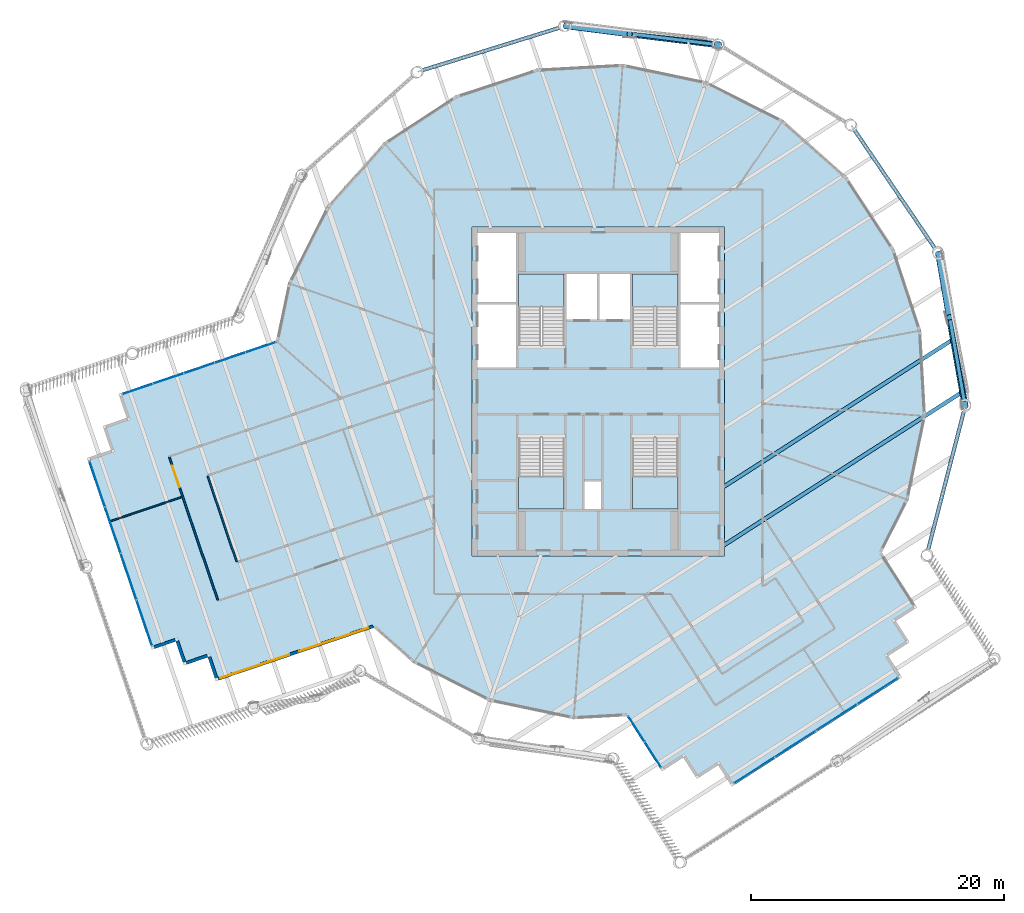
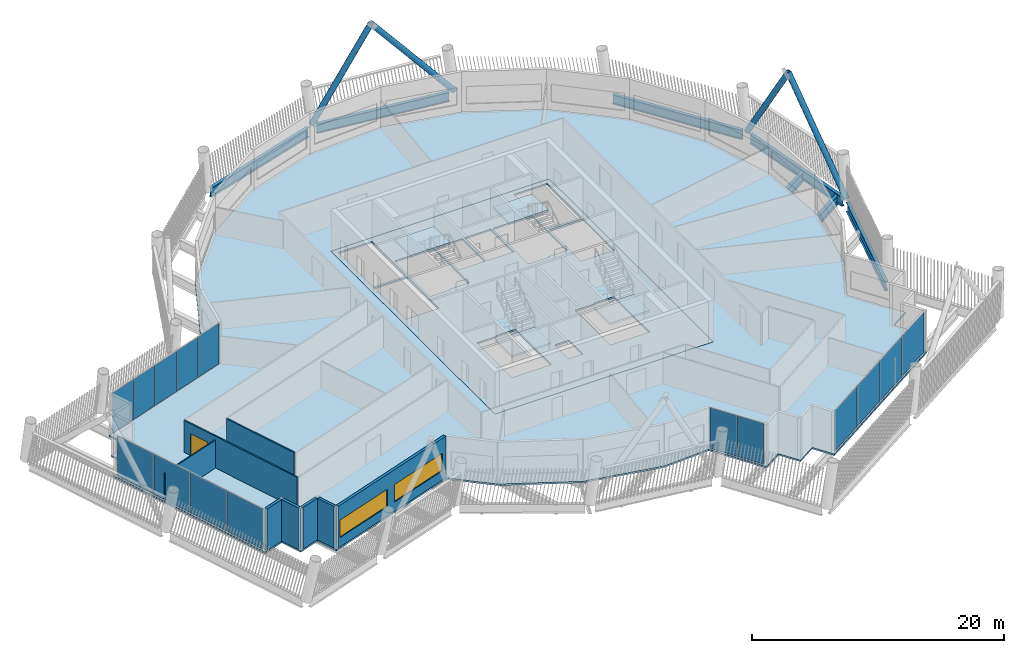
# One storey, part 16 of 35: 15 plates, 8 walls, 7 beams, 6 slabs, 4 members, 2 windows, 1 door, 3 openings, 8 elements without a shape of their own.
"""IFC4 building model written with IfcOpenShell, lengths in metres."""

import ifcopenshell
import ifcopenshell.guid

model = None  # the IFC model being written
_history = None  # IfcOwnerHistory: only IFC2X3 demands one
_inside = {}  # id of a spatial element -> (the spatial element, [elements in it])
_under = {}  # id of a project, library or spatial element -> (it, [spatial elements below it])
_declared = {}  # id of a project -> (the project, [libraries it declares])
_typed = {}  # id of a type object -> (the type object, [elements of that type])
_made_of = {}  # id of a material, layer set ... -> (it, [elements and type objects made of it])


def new_model(schema):
    """Start an empty IFC model of exactly this schema.

    Asked for "IFC4X3", IfcOpenShell would pick the latest addendum, in which some entities
    have other attributes; the version numbers below select the first issue.
    IFC2X3 requires an IfcOwnerHistory on every rooted entity: one is made here for all.
    """
    global model, _history
    if schema == "IFC4X3":
        model = ifcopenshell.file(schema_version=(4, 3, 0, 0))
    else:
        model = ifcopenshell.file(schema=schema)
    _inside.clear()
    _under.clear()
    _declared.clear()
    _typed.clear()
    _made_of.clear()
    _history = None
    if model.schema == "IFC2X3":
        org = make("IfcOrganization", Name="unknown")
        user = make(
            "IfcPersonAndOrganization",
            ThePerson=make("IfcPerson", FamilyName="unknown"),
            TheOrganization=org,
        )
        app = make(
            "IfcApplication",
            ApplicationDeveloper=org,
            Version="unknown",
            ApplicationFullName="unknown",
            ApplicationIdentifier="unknown",
        )
        _history = make(
            "IfcOwnerHistory",
            OwningUser=user,
            OwningApplication=app,
            ChangeAction="ADDED",
            CreationDate=0,
        )
    return model


def make(cls, **values):
    """One entity of the class cls with the attributes given. An attribute that is None is left unset."""
    return model.create_entity(
        cls, **{name: value for name, value in values.items() if value is not None}
    )


def rooted(cls, **values):
    """An entity with a GlobalId (a new one), such as an element, a storey or a relation."""
    return make(cls, GlobalId=ifcopenshell.guid.new(), OwnerHistory=_history, **values)


def si_unit(unit_type, name, prefix=None):
    """IfcSIUnit, for example si_unit("LENGTHUNIT", "METRE", prefix="MILLI")."""
    return make("IfcSIUnit", UnitType=unit_type, Prefix=prefix, Name=name)


def assignment(units):
    """IfcUnitAssignment: the units of a project."""
    return None if units is None else make("IfcUnitAssignment", Units=units)


def point(xyz):
    """IfcCartesianPoint."""
    return None if xyz is None else make("IfcCartesianPoint", Coordinates=xyz)


def direction(xyz):
    """IfcDirection."""
    return None if xyz is None else make("IfcDirection", DirectionRatios=xyz)


def frame(location, z_axis=None, x_axis=None):
    """IfcAxis2Placement3D, a coordinate frame: its origin and axes. An axis left out is left unset."""
    return make(
        "IfcAxis2Placement3D",
        Location=point(location),
        Axis=direction(z_axis),
        RefDirection=direction(x_axis),
    )


def frame_2d(location, x_axis=None):
    """IfcAxis2Placement2D, a coordinate frame in the plane: its origin and x axis."""
    return make(
        "IfcAxis2Placement2D", Location=point(location), RefDirection=direction(x_axis)
    )


def origin():
    """The frame at (0, 0, 0) with its axes left unset."""
    return frame((0.0, 0.0, 0.0))


def origin_2d():
    """The frame at (0, 0) in the plane with its x axis left unset."""
    return frame_2d((0.0, 0.0))


def place(relative_to, where):
    """IfcLocalPlacement: puts the frame where relative to a parent placement (None: the world)."""
    return make(
        "IfcLocalPlacement", PlacementRelTo=relative_to, RelativePlacement=where
    )


def context(
    kind, dimensions, precision=None, world=None, true_north=None, identifier=None
):
    """IfcGeometricRepresentationContext, for example the 3D "Model" context."""
    return make(
        "IfcGeometricRepresentationContext",
        ContextIdentifier=identifier,
        ContextType=kind,
        CoordinateSpaceDimension=dimensions,
        Precision=precision,
        WorldCoordinateSystem=world,
        TrueNorth=true_north,
    )


def subcontext(parent, identifier, kind, view, scale=None):
    """IfcGeometricRepresentationSubContext, for example "Body" below "Model"."""
    return make(
        "IfcGeometricRepresentationSubContext",
        ContextIdentifier=identifier,
        ContextType=kind,
        ParentContext=parent,
        TargetScale=scale,
        TargetView=view,
    )


def project(units=None, contexts=None):
    """IfcProject with its units and contexts."""
    return rooted(
        "IfcProject",
        Name="project",
        RepresentationContexts=contexts,
        UnitsInContext=assignment(units),
    )


def spatial(cls, under=None, at=None, **own):
    """A site, building, storey or space (cls), placed at a placement, below another one or the project."""
    s = rooted(cls, ObjectPlacement=at, **own)
    if under is not None:
        _under.setdefault(under.id(), (under, []))[1].append(s)
    return s


def polyline(points):
    """IfcPolyline through the points."""
    return make("IfcPolyline", Points=[point(p) for p in points])


def profile(cls, at=None, kind="AREA", **sizes):
    """A parametric profile (cls). Its sizes go by their IFC names, for example OverallWidth=200.0."""
    return make(cls, ProfileType=kind, Position=at, **sizes)


def rectangle(**sizes):
    """IfcRectangleProfileDef."""
    return profile("IfcRectangleProfileDef", **sizes)


def hollow_circle(**sizes):
    """IfcCircleHollowProfileDef."""
    return profile("IfcCircleHollowProfileDef", **sizes)


def i_section(**sizes):
    """IfcIShapeProfileDef."""
    return profile("IfcIShapeProfileDef", **sizes)


def outline(outer, holes=None, kind="AREA"):
    """IfcArbitraryClosedProfileDef: a profile drawn as a closed curve; with holes, ...WithVoids."""
    if holes is None:
        return make("IfcArbitraryClosedProfileDef", ProfileType=kind, OuterCurve=outer)
    return make(
        "IfcArbitraryProfileDefWithVoids",
        ProfileType=kind,
        OuterCurve=outer,
        InnerCurves=holes,
    )


def extrude(swept, where, along, depth):
    """IfcExtrudedAreaSolid: the profile swept, set in the frame where, extruded along a direction by depth."""
    return make(
        "IfcExtrudedAreaSolid",
        SweptArea=swept,
        Position=where,
        ExtrudedDirection=direction(along),
        Depth=depth,
    )


def shape(context_of_items, identifier, shape_type, items):
    """IfcShapeRepresentation: the items that make up one representation, for example the "Body"."""
    return make(
        "IfcShapeRepresentation",
        ContextOfItems=context_of_items,
        RepresentationIdentifier=identifier,
        RepresentationType=shape_type,
        Items=items,
    )


def material(Name=None, Category=None):
    """IfcMaterial."""
    return make("IfcMaterial", Name=Name, Category=Category)


def layer(
    of_material, thickness, ventilated=None, Name=None, Category=None, Priority=None
):
    """IfcMaterialLayer: one layer of a wall or slab, of a material (None: an air gap)."""
    return make(
        "IfcMaterialLayer",
        Material=of_material,
        LayerThickness=thickness,
        IsVentilated=ventilated,
        Name=Name,
        Category=Category,
        Priority=Priority,
    )


def layer_set(layers, Name=None):
    """IfcMaterialLayerSet."""
    return make("IfcMaterialLayerSet", MaterialLayers=layers, LayerSetName=Name)


def material_profile(
    of_material, cross_section, Name=None, Category=None, Priority=None
):
    """IfcMaterialProfile: a cross section and its material."""
    return make(
        "IfcMaterialProfile",
        Name=Name,
        Material=of_material,
        Profile=cross_section,
        Priority=Priority,
        Category=Category,
    )


def profile_set(profiles, Name=None, composite=None):
    """IfcMaterialProfileSet."""
    return make(
        "IfcMaterialProfileSet",
        Name=Name,
        MaterialProfiles=profiles,
        CompositeProfile=composite,
    )


def made_of(thing, what):
    """Note that an element or type object is made of a material, layer set ...; save() writes the relation."""
    if what is not None:
        _made_of.setdefault(what.id(), (what, []))[1].append(thing)
    return thing


def type_object(cls, material=None, **own):
    """A type object (cls), such as IfcWallType, which elements share."""
    return made_of(rooted(cls, **own), material)


def element(
    cls,
    number,
    at=None,
    inside=None,
    cuts=None,
    type_object=None,
    material=None,
    context=None,
    identifier="Body",
    shape_type=None,
    held_by="IfcProductDefinitionShape",
    body=None,
    shapes=None,
    **own,
):
    """One element of the class cls, such as IfcWall. Its Tag is "e" and its number.

    at: its placement. inside: the storey or other place that contains it. cuts: it is an
    opening in that element (IfcRelVoidsElement). A single representation is given by context,
    identifier, shape_type and body (its items); several are given by shapes. held_by: the class
    of the entity that holds the representations. save() writes the other relations.
    """
    e = rooted(cls, Tag="e%d" % number, ObjectPlacement=at, **own)
    if body is not None:
        shapes = [shape(context, identifier, shape_type, body)]
    if shapes is not None:
        e.Representation = make(held_by, Representations=shapes)
    if inside is not None:
        _inside.setdefault(inside.id(), (inside, []))[1].append(e)
    if cuts is not None:
        rooted(
            "IfcRelVoidsElement", RelatingBuildingElement=cuts, RelatedOpeningElement=e
        )
    if type_object is not None:
        _typed.setdefault(type_object.id(), (type_object, []))[1].append(e)
    return made_of(e, material)


def fill(opening, filler):
    """IfcRelFillsElement: the door or window that sits in an opening."""
    return rooted(
        "IfcRelFillsElement",
        RelatingOpeningElement=opening,
        RelatedBuildingElement=filler,
    )


def aggregate(whole, parts):
    """IfcRelAggregates: a whole, such as a stair, and the parts it consists of."""
    return rooted("IfcRelAggregates", RelatingObject=whole, RelatedObjects=parts)


def save(model, path):
    """Write the relations noted so far, then the file.

    IfcRelAggregates (storeys below a building ...), IfcRelContainedInSpatialStructure (elements
    in a storey), IfcRelDefinesByType, IfcRelAssociatesMaterial and IfcRelDeclares: one each for
    every whole, place, type object, material and project.
    """
    for whole, parts in _under.values():
        aggregate(whole, parts)
    for where, things in _inside.values():
        rooted(
            "IfcRelContainedInSpatialStructure",
            RelatedElements=things,
            RelatingStructure=where,
        )
    for kind, things in _typed.values():
        rooted("IfcRelDefinesByType", RelatedObjects=things, RelatingType=kind)
    for what, things in _made_of.values():
        rooted("IfcRelAssociatesMaterial", RelatedObjects=things, RelatingMaterial=what)
    for by, libraries in _declared.values():
        rooted("IfcRelDeclares", RelatingContext=by, RelatedDefinitions=libraries)
    model.write(path)


model = new_model("IFC4")

# Units and contexts
model_context = context("Model", 3, precision=1e-05, world=origin(), true_north=direction((0.0, 1.0)))
body_context = subcontext(model_context, "Body", "Model", "MODEL_VIEW")
ifc_project = project(units=[si_unit("LENGTHUNIT", "METRE"), si_unit("AREAUNIT", "SQUARE_METRE"), si_unit("VOLUMEUNIT", "CUBIC_METRE"), si_unit("PLANEANGLEUNIT", "RADIAN"), si_unit("MASSUNIT", "GRAM", prefix="KILO")], contexts=[model_context])

# Site, building, storey
site_placement = place(None, origin())
site = spatial("IfcSite", under=ifc_project, at=site_placement, CompositionType="ELEMENT")
building_placement = place(site_placement, origin())
building = spatial("IfcBuilding", under=site, at=building_placement, Name="Tarsis Ring Headquarters", CompositionType="ELEMENT")
storey_placement = place(building_placement, frame((0.0, 0.0, 360.800048828125)))
storey = spatial("IfcBuildingStorey", under=building, at=storey_placement, Name="L85", CompositionType="ELEMENT", Elevation=360.800048828125)

# Beams
ifc_material_1 = material(Name="Structural steel S355", Category="steel")
ifc_material_profile_1 = material_profile(ifc_material_1, i_section(OverallWidth=0.3046875, OverallDepth=0.91943359375, WebThickness=0.017333984375, FlangeThickness=0.02783203125, at=origin_2d()), Name="W36x170")
ifc_profile_set_1 = profile_set([ifc_material_profile_1], Name="Structural steel S355")
beam_type_1 = type_object("IfcBeamType", Name="FB Floor beam W36x170", PredefinedType="JOIST", material=ifc_profile_set_1)
beam_1_placement = place(storey_placement, frame((9.915771484375, -7.535888671875, -0.619873046875), z_axis=(0.841322376083, 0.540533680266, 0.0), x_axis=(-0.540533680266, 0.841322376083, 0.0)))
element("IfcBeam", 1, at=beam_1_placement, inside=storey, type_object=beam_type_1, Name="Floor beam FB9", PredefinedType="JOIST", context=body_context, shape_type="SweptSolid", body=[
    extrude(i_section(OverallWidth=0.3046875, OverallDepth=0.91943359375, WebThickness=0.017333984375, FlangeThickness=0.02783203125, at=origin_2d()), origin(), (0.0, 0.0, 1.0), 21.549072265625),
])
beam_2_placement = place(storey_placement, frame((9.915771484375, -12.17138671875, -0.619873046875), z_axis=(0.841323211878, 0.540532379378, 0.0), x_axis=(-0.540532379378, 0.841323211878, 0.0)))
element("IfcBeam", 2, at=beam_2_placement, inside=storey, type_object=beam_type_1, Name="Floor beam FB9", PredefinedType="JOIST", context=body_context, shape_type="SweptSolid", body=[
    extrude(i_section(OverallWidth=0.3046875, OverallDepth=0.91943359375, WebThickness=0.017333984375, FlangeThickness=0.02783203125, at=origin_2d()), origin(), (0.0, 0.0, 1.0), 22.410888671875),
])

# Members
ifc_material_profile_2 = material_profile(ifc_material_1, hollow_circle(Radius=0.25390625, WallThickness=0.02001953125, at=origin_2d()), Name="CHS 508x20")
ifc_profile_set_2 = profile_set([ifc_material_profile_2], Name="Structural steel S355")
member_type = type_object("IfcMemberType", Name="XD X brace CHS 508x20", PredefinedType="BRACE", material=ifc_profile_set_2)
member_1_placement = place(storey_placement, frame((29.02490234375, -1.169677734375, 0.0), z_axis=(-0.112752762608, 0.638570934384, 0.761258153509), x_axis=(-0.98476672269, -0.173880711646, 0.0)))
element("IfcMember", 3, at=member_1_placement, inside=storey, type_object=member_type, Name="X brace XD2", PredefinedType="BRACE", context=body_context, shape_type="SweptSolid", body=[
    extrude(hollow_circle(Radius=0.25390625, WallThickness=0.02001953125, at=origin_2d()), origin(), (0.0, 0.0, 1.0), 11.0341796875),
])
member_2_placement = place(storey_placement, frame((26.9267578125, 10.898193359375, 0.0), z_axis=(0.086932858676, -0.511184096654, 0.855063446424), x_axis=(0.985845787737, 0.167654653386, 0.0)))
element("IfcMember", 4, at=member_2_placement, inside=storey, type_object=member_type, Name="X brace XD2", PredefinedType="BRACE", context=body_context, shape_type="SweptSolid", body=[
    extrude(hollow_circle(Radius=0.25390625, WallThickness=0.02001953125, at=origin_2d()), origin(), (0.0, 0.0, 1.0), 9.82373046875),
])
member_3_placement = place(storey_placement, frame((9.59130859375, 27.41943359375, 0.0), z_axis=(-0.643664683993, 0.078569086414, 0.761263865713), x_axis=(-0.121165899867, -0.992632270637, 0.0)))
element("IfcMember", 5, at=member_3_placement, inside=storey, type_object=member_type, Name="X brace XD2", PredefinedType="BRACE", context=body_context, shape_type="SweptSolid", body=[
    extrude(hollow_circle(Radius=0.25390625, WallThickness=0.02001953125, at=origin_2d()), origin(), (0.0, 0.0, 1.0), 11.0341796875),
])
member_4_placement = place(storey_placement, frame((-2.563232421875, 28.935302734375, 0.0), z_axis=(0.514292707648, -0.066057312116, 0.855066922747), x_axis=(0.127396457174, 0.991851875382, 0.0)))
element("IfcMember", 6, at=member_4_placement, inside=storey, type_object=member_type, Name="X brace XD2", PredefinedType="BRACE", context=body_context, shape_type="SweptSolid", body=[
    extrude(hollow_circle(Radius=0.25390625, WallThickness=0.02001953125, at=origin_2d()), origin(), (0.0, 0.0, 1.0), 9.82373046875),
])

# Beams
beam_type_2 = type_object("IfcBeamType", Name="XG Ring girder W36x170", PredefinedType="BEAM", material=ifc_profile_set_1)
beam_3_placement = place(storey_placement, frame((26.0654296875, -12.630859375, -0.459716796875), z_axis=(0.250019541273, 0.968240790807, 0.0), x_axis=(-0.968240790807, 0.250019541273, 0.0)))
element("IfcBeam", 7, at=beam_3_placement, inside=storey, type_object=beam_type_2, Name="Ring girder XG4", PredefinedType="BEAM", context=body_context, shape_type="SweptSolid", body=[
    extrude(i_section(OverallWidth=0.3046875, OverallDepth=0.91943359375, WebThickness=0.017333984375, FlangeThickness=0.02783203125, at=origin_2d()), origin(), (0.0, 0.0, 1.0), 11.42578125),
])
for number, where, z_axis, x_axis, name in (
    (8, (28.95458984375, -0.76416015625, -0.459716796875), (-0.171321336647, 0.985215204719, 0.0), (-0.985215204719, -0.171321336647, 0.0), "Ring girder XG4"),
    (9, (26.6953125, 11.238525390625, -0.459716796875), (-0.562172669378, 0.827019884769, 0.0), (-0.827019884769, -0.562172669378, 0.0), "Ring girder XG4"),
    (10, (9.18310546875, 27.47021484375, -0.459716796875), (-0.992312354477, 0.123758600313, 0.0), (-0.123758600313, -0.992312354477, 0.0), "Ring girder XG4"),
):
    element("IfcBeam", number, at=place(storey_placement, frame(where, z_axis=z_axis, x_axis=x_axis)), inside=storey, type_object=beam_type_2, Name=name, PredefinedType="BEAM", context=body_context, shape_type="SweptSolid", body=[
        extrude(i_section(OverallWidth=0.3046875, OverallDepth=0.91943359375, WebThickness=0.017333984375, FlangeThickness=0.02783203125, at=origin_2d()), origin(), (0.0, 0.0, 1.0), 11.426025390625),
    ])
beam_4_placement = place(storey_placement, frame((-2.956298828125, 28.813232421875, -0.459716796875), z_axis=(-0.955107093582, -0.296260763161, 0.0), x_axis=(0.296260763161, -0.955107093582, 0.0)))
element("IfcBeam", 11, at=beam_4_placement, inside=storey, type_object=beam_type_2, Name="Ring girder XG4", PredefinedType="BEAM", context=body_context, shape_type="SweptSolid", body=[
    extrude(i_section(OverallWidth=0.3046875, OverallDepth=0.91943359375, WebThickness=0.017333984375, FlangeThickness=0.02783203125, at=origin_2d()), origin(), (0.0, 0.0, 1.0), 11.42578125),
])

# Slab
ifc_material_2 = material(Name="Concrete C40/50", Category="concrete")
ifc_layer_1 = layer(ifc_material_2, 0.159912109375)
ifc_layer_set_1 = layer_set([ifc_layer_1], Name="Core floor slab 160 C40/50")
slab_type_1 = type_object("IfcSlabType", Name="Core floor slab 160 C40/50", PredefinedType="FLOOR", material=ifc_layer_set_1)
slab_1_placement = place(storey_placement, frame((0.0, 0.0, -0.16015625)))
element("IfcSlab", 12, at=slab_1_placement, inside=storey, type_object=slab_type_1, Name="L85 core floor slab", PredefinedType="FLOOR", context=body_context, shape_type="SweptSolid", body=[
    extrude(outline(polyline([(-10.0, -13.0), (10.0, -13.0), (10.0, 13.0), (-10.0, 13.0), (-10.0, -13.0)]), holes=[polyline([(-2.5, 5.699951171875), (-0.10009765625, 5.699951171875), (-0.10009765625, 9.300048828125), (-2.5, 9.300048828125), (-2.5, 5.699951171875)]), polyline([(0.10009765625, 5.699951171875), (2.5, 5.699951171875), (2.5, 9.300048828125), (0.10009765625, 9.300048828125), (0.10009765625, 5.699951171875)]), polyline([(-9.550048828125, 1.89990234375), (-6.5, 1.89990234375), (-6.5, 6.89990234375), (-9.550048828125, 6.89990234375), (-9.550048828125, 1.89990234375)]), polyline([(-9.550048828125, 7.10009765625), (-6.5, 7.10009765625), (-6.5, 12.550048828125), (-9.550048828125, 12.550048828125), (-9.550048828125, 7.10009765625)]), polyline([(6.5, 1.89990234375), (9.550048828125, 1.89990234375), (9.550048828125, 6.89990234375), (6.5, 6.89990234375), (6.5, 1.89990234375)]), polyline([(6.5, 7.10009765625), (9.550048828125, 7.10009765625), (9.550048828125, 12.550048828125), (6.5, 12.550048828125), (6.5, 7.10009765625)]), polyline([(-1.10009765625, -9.300048828125), (0.199951171875, -9.300048828125), (0.199951171875, -7.10009765625), (-1.10009765625, -7.10009765625), (-1.10009765625, -9.300048828125)]), polyline([(-2.699951171875, 3.760009765625), (-2.699951171875, 9.300048828125), (-6.300048828125, 9.300048828125), (-6.300048828125, 3.659912109375), (-4.4599609375, 3.659912109375), (-4.4599609375, 3.760009765625), (-2.699951171875, 3.760009765625)]), polyline([(6.300048828125, 3.760009765625), (6.300048828125, 9.300048828125), (2.699951171875, 9.300048828125), (2.699951171875, 3.659912109375), (4.5400390625, 3.659912109375), (4.5400390625, 3.760009765625), (6.300048828125, 3.760009765625)]), polyline([(-6.300048828125, -3.760009765625), (-6.300048828125, -9.300048828125), (-2.699951171875, -9.300048828125), (-2.699951171875, -3.659912109375), (-4.5400390625, -3.659912109375), (-4.5400390625, -3.760009765625), (-6.300048828125, -3.760009765625)]), polyline([(2.699951171875, -3.760009765625), (2.699951171875, -9.300048828125), (6.300048828125, -9.300048828125), (6.300048828125, -3.659912109375), (4.4599609375, -3.659912109375), (4.4599609375, -3.760009765625), (2.699951171875, -3.760009765625)])]), origin(), (0.0, 0.0, 1.0), 0.16015625),
])

# Stair, slab
ifc_material_3 = material(Name="Core stair 1760")
stair_type = type_object("IfcStairType", Name="Core stair 1760", PredefinedType="HALF_TURN_STAIR", material=ifc_material_3)
stair_1_placement = place(storey_placement, origin())
stair_1 = element("IfcStair", 13, at=stair_1_placement, inside=storey, type_object=stair_type, Name="L85 Firefighting stair", PredefinedType="HALF_TURN_STAIR")
ifc_layer_2 = layer(ifc_material_2, 0.199951171875)
ifc_layer_set_2 = layer_set([ifc_layer_2], Name="Core stair landing 200")
slab_type_2 = type_object("IfcSlabType", Name="Core stair landing 200", PredefinedType="LANDING", material=ifc_layer_set_2)
slab_2_placement = place(storey_placement, frame((0.0, 0.0, 1.89990234375)))
slab_2 = element("IfcSlab", 14, at=slab_2_placement, type_object=slab_type_2, Name="Stair ST1 landing 1", PredefinedType="LANDING", context=body_context, shape_type="SweptSolid", body=[
    extrude(outline(polyline([(-2.699951171875, 6.739990234375), (-2.699951171875, 9.300048828125), (-6.300048828125, 9.300048828125), (-6.300048828125, 6.739990234375), (-2.699951171875, 6.739990234375)])), origin(), (0.0, 0.0, 1.0), 0.199951171875),
])
aggregate(stair_1, [slab_2])

stair_2_placement = place(storey_placement, origin())
stair_2 = element("IfcStair", 15, at=stair_2_placement, inside=storey, type_object=stair_type, Name="L85 Exit stair B", PredefinedType="HALF_TURN_STAIR")
slab_3_placement = place(storey_placement, frame((0.0, 0.0, 1.89990234375)))
slab_3 = element("IfcSlab", 16, at=slab_3_placement, type_object=slab_type_2, Name="Stair ST2 landing 1", PredefinedType="LANDING", context=body_context, shape_type="SweptSolid", body=[
    extrude(outline(polyline([(6.300048828125, 6.739990234375), (6.300048828125, 9.300048828125), (2.699951171875, 9.300048828125), (2.699951171875, 6.739990234375), (6.300048828125, 6.739990234375)])), origin(), (0.0, 0.0, 1.0), 0.199951171875),
])
aggregate(stair_2, [slab_3])

stair_3_placement = place(storey_placement, origin())
stair_3 = element("IfcStair", 17, at=stair_3_placement, inside=storey, type_object=stair_type, Name="L85 Exit stair C", PredefinedType="HALF_TURN_STAIR")
slab_4_placement = place(storey_placement, frame((0.0, 0.0, 1.89990234375)))
slab_4 = element("IfcSlab", 18, at=slab_4_placement, type_object=slab_type_2, Name="Stair ST3 landing 1", PredefinedType="LANDING", context=body_context, shape_type="SweptSolid", body=[
    extrude(outline(polyline([(-6.300048828125, -6.739990234375), (-6.300048828125, -9.300048828125), (-2.699951171875, -9.300048828125), (-2.699951171875, -6.739990234375), (-6.300048828125, -6.739990234375)])), origin(), (0.0, 0.0, 1.0), 0.199951171875),
])
aggregate(stair_3, [slab_4])

stair_4_placement = place(storey_placement, origin())
stair_4 = element("IfcStair", 19, at=stair_4_placement, inside=storey, type_object=stair_type, Name="L85 Exit stair D", PredefinedType="HALF_TURN_STAIR")
slab_5_placement = place(storey_placement, frame((0.0, 0.0, 1.89990234375)))
slab_5 = element("IfcSlab", 20, at=slab_5_placement, type_object=slab_type_2, Name="Stair ST4 landing 1", PredefinedType="LANDING", context=body_context, shape_type="SweptSolid", body=[
    extrude(outline(polyline([(2.699951171875, -6.739990234375), (2.699951171875, -9.300048828125), (6.300048828125, -9.300048828125), (6.300048828125, -6.739990234375), (2.699951171875, -6.739990234375)])), origin(), (0.0, 0.0, 1.0), 0.199951171875),
])
aggregate(stair_4, [slab_5])

# Curtain wall, plates
ifc_material_4 = material(Name="Aluminium curtain wall", Category="aluminium")
ifc_layer_3 = layer(ifc_material_4, 0.199951171875)
ifc_layer_set_3 = layer_set([ifc_layer_3], Name="Curtain wall executive tip")
curtain_wall_type_1 = type_object("IfcCurtainWallType", Name="Curtain wall executive tip", PredefinedType="NOTDEFINED", material=ifc_layer_set_3)
curtain_wall_1_placement = place(storey_placement, origin())
curtain_wall_1 = element("IfcCurtainWall", 21, at=curtain_wall_1_placement, inside=storey, type_object=curtain_wall_type_1, Name="Curtain wall L85-11", PredefinedType="NOTDEFINED")
ifc_material_5 = material(Name="Clear double glazing", Category="glass")
ifc_layer_4 = layer(ifc_material_5, 0.028076171875)
ifc_layer_set_4 = layer_set([ifc_layer_4], Name="Curtain wall glass panel executive tip")
plate_type_1 = type_object("IfcPlateType", Name="Curtain wall glass panel executive tip", PredefinedType="CURTAIN_PANEL", material=ifc_layer_set_4)
plate_1_placement = place(storey_placement, frame((12.35400390625, -29.949462890625, 0.070068359375), z_axis=(0.0, 0.0, 1.0), x_axis=(0.841322129159, 0.540534064595, 0.0)))
plate_1 = element("IfcPlate", 22, at=plate_1_placement, type_object=plate_type_1, Name="CW-E panel 1.1", PredefinedType="CURTAIN_PANEL", context=body_context, shape_type="SweptSolid", body=[
    extrude(rectangle(XDim=3.77001953125, YDim=0.028076171875, at=origin_2d()), origin(), (0.0, 0.0, 1.0), 3.89990234375),
])
plate_2_placement = place(storey_placement, frame((15.599365234375, -27.864501953125, 0.070068359375), z_axis=(0.0, 0.0, 1.0), x_axis=(0.841322129159, 0.540534064595, 0.0)))
plate_2 = element("IfcPlate", 23, at=plate_2_placement, type_object=plate_type_1, Name="CW-E panel 2.1", PredefinedType="CURTAIN_PANEL", context=body_context, shape_type="SweptSolid", body=[
    extrude(rectangle(XDim=3.804931640625, YDim=0.028076171875, at=origin_2d()), origin(), (0.0, 0.0, 1.0), 3.89990234375),
])
plate_3_placement = place(storey_placement, frame((18.859619140625, -25.769775390625, 0.070068359375), z_axis=(0.0, 0.0, 1.0), x_axis=(0.841322129159, 0.540534064595, 0.0)))
plate_3 = element("IfcPlate", 24, at=plate_3_placement, type_object=plate_type_1, Name="CW-E panel 3.1", PredefinedType="CURTAIN_PANEL", context=body_context, shape_type="SweptSolid", body=[
    extrude(rectangle(XDim=3.804931640625, YDim=0.028076171875, at=origin_2d()), origin(), (0.0, 0.0, 1.0), 3.89990234375),
])
plate_4_placement = place(storey_placement, frame((22.10498046875, -23.684814453125, 0.070068359375), z_axis=(0.0, 0.0, 1.0), x_axis=(0.841322129159, 0.540534064595, 0.0)))
plate_4 = element("IfcPlate", 25, at=plate_4_placement, type_object=plate_type_1, Name="CW-E panel 4.1", PredefinedType="CURTAIN_PANEL", context=body_context, shape_type="SweptSolid", body=[
    extrude(rectangle(XDim=3.77001953125, YDim=0.028076171875, at=origin_2d()), origin(), (0.0, 0.0, 1.0), 3.89990234375),
])
aggregate(curtain_wall_1, [plate_1, plate_2, plate_3, plate_4])

curtain_wall_2_placement = place(storey_placement, origin())
curtain_wall_2 = element("IfcCurtainWall", 26, at=curtain_wall_2_placement, inside=storey, type_object=curtain_wall_type_1, Name="Curtain wall L85-36", PredefinedType="NOTDEFINED")
plate_5_placement = place(storey_placement, frame((-39.62548828125, -7.30908203125, 0.070068359375), z_axis=(0.0, 0.0, 1.0), x_axis=(0.32094362685, -0.94709829922, 0.0)))
plate_5 = element("IfcPlate", 27, at=plate_5_placement, type_object=plate_type_1, Name="CW-E panel 1.1", PredefinedType="CURTAIN_PANEL", context=body_context, shape_type="SweptSolid", body=[
    extrude(rectangle(XDim=3.77001953125, YDim=0.028076171875, at=origin_2d()), origin(), (0.0, 0.0, 1.0), 3.89990234375),
])
plate_6_placement = place(storey_placement, frame((-38.387451171875, -10.962646484375, 0.070068359375), z_axis=(0.0, 0.0, 1.0), x_axis=(0.32094362685, -0.94709829922, 0.0)))
plate_6 = element("IfcPlate", 28, at=plate_6_placement, type_object=plate_type_1, Name="CW-E panel 2.1", PredefinedType="CURTAIN_PANEL", context=body_context, shape_type="SweptSolid", body=[
    extrude(rectangle(XDim=3.804931640625, YDim=0.028076171875, at=origin_2d()), origin(), (0.0, 0.0, 1.0), 3.89990234375),
])
plate_7_placement = place(storey_placement, frame((-37.143798828125, -14.632568359375, 0.070068359375), z_axis=(0.0, 0.0, 1.0), x_axis=(0.32094362685, -0.94709829922, 0.0)))
plate_7 = element("IfcPlate", 29, at=plate_7_placement, type_object=plate_type_1, Name="CW-E panel 3.1", PredefinedType="CURTAIN_PANEL", context=body_context, shape_type="SweptSolid", body=[
    extrude(rectangle(XDim=3.804931640625, YDim=0.028076171875, at=origin_2d()), origin(), (0.0, 0.0, 1.0), 3.89990234375),
])
plate_8_placement = place(storey_placement, frame((-35.90576171875, -18.2861328125, 0.070068359375), z_axis=(0.0, 0.0, 1.0), x_axis=(0.32094362685, -0.94709829922, 0.0)))
plate_8 = element("IfcPlate", 30, at=plate_8_placement, type_object=plate_type_1, Name="CW-E panel 4.1", PredefinedType="CURTAIN_PANEL", context=body_context, shape_type="SweptSolid", body=[
    extrude(rectangle(XDim=3.77001953125, YDim=0.028076171875, at=origin_2d()), origin(), (0.0, 0.0, 1.0), 3.89990234375),
])
aggregate(curtain_wall_2, [plate_5, plate_6, plate_7, plate_8])

ifc_layer_5 = layer(ifc_material_4, 0.14990234375)
ifc_layer_set_5 = layer_set([ifc_layer_5], Name="Curtain wall tower unit")
curtain_wall_type_2 = type_object("IfcCurtainWallType", Name="Curtain wall tower unit", PredefinedType="NOTDEFINED", material=ifc_layer_set_5)
curtain_wall_3_placement = place(storey_placement, origin())
curtain_wall_3 = element("IfcCurtainWall", 31, at=curtain_wall_3_placement, inside=storey, type_object=curtain_wall_type_2, Name="Curtain wall L85-06", PredefinedType="NOTDEFINED")
ifc_layer_6 = layer(ifc_material_5, 0.028076171875)
ifc_layer_set_6 = layer_set([ifc_layer_6], Name="Curtain wall glass panel tower unit")
plate_type_2 = type_object("IfcPlateType", Name="Curtain wall glass panel tower unit", PredefinedType="CURTAIN_PANEL", material=ifc_layer_set_6)
plate_9_placement = place(storey_placement, frame((3.021728515625, -26.67236328125, 0.06005859375), z_axis=(0.0, 0.0, 1.0), x_axis=(0.540534150217, -0.841322074148, 0.0)))
plate_9 = element("IfcPlate", 32, at=plate_9_placement, type_object=plate_type_2, Name="CW-T panel 1.1", PredefinedType="CURTAIN_PANEL", context=body_context, shape_type="SweptSolid", body=[
    extrude(rectangle(XDim=2.37109375, YDim=0.028076171875, at=origin_2d()), origin(), (0.0, 0.0, 1.0), 3.919921875),
])
plate_10_placement = place(storey_placement, frame((4.3359375, -28.7177734375, 0.06005859375), z_axis=(0.0, 0.0, 1.0), x_axis=(0.540534150217, -0.841322074148, 0.0)))
plate_10 = element("IfcPlate", 33, at=plate_10_placement, type_object=plate_type_2, Name="CW-T panel 2.1", PredefinedType="CURTAIN_PANEL", context=body_context, shape_type="SweptSolid", body=[
    extrude(rectangle(XDim=2.37109375, YDim=0.028076171875, at=origin_2d()), origin(), (0.0, 0.0, 1.0), 3.919921875),
])
aggregate(curtain_wall_3, [plate_9, plate_10])

curtain_wall_4_placement = place(storey_placement, origin())
curtain_wall_4 = element("IfcCurtainWall", 34, at=curtain_wall_4_placement, inside=storey, type_object=curtain_wall_type_2, Name="Curtain wall L85-31", PredefinedType="NOTDEFINED")
plate_11_placement = place(storey_placement, frame((-26.687255859375, 3.494873046875, 0.06005859375), z_axis=(0.0, 0.0, 1.0), x_axis=(-0.947098297231, -0.320943632718, 0.0)))
plate_11 = element("IfcPlate", 35, at=plate_11_placement, type_object=plate_type_2, Name="CW-T panel 1.1", PredefinedType="CURTAIN_PANEL", context=body_context, shape_type="SweptSolid", body=[
    extrude(rectangle(XDim=2.490234375, YDim=0.028076171875, at=origin_2d()), origin(), (0.0, 0.0, 1.0), 3.919921875),
])
plate_12_placement = place(storey_placement, frame((-29.11669921875, 2.67138671875, 0.06005859375), z_axis=(0.0, 0.0, 1.0), x_axis=(-0.947098297231, -0.320943632718, 0.0)))
plate_12 = element("IfcPlate", 36, at=plate_12_placement, type_object=plate_type_2, Name="CW-T panel 2.1", PredefinedType="CURTAIN_PANEL", context=body_context, shape_type="SweptSolid", body=[
    extrude(rectangle(XDim=2.520263671875, YDim=0.028076171875, at=origin_2d()), origin(), (0.0, 0.0, 1.0), 3.919921875),
])
plate_13_placement = place(storey_placement, frame((-31.560546875, 1.84326171875, 0.06005859375), z_axis=(0.0, 0.0, 1.0), x_axis=(-0.947098297231, -0.320943632718, 0.0)))
plate_13 = element("IfcPlate", 37, at=plate_13_placement, type_object=plate_type_2, Name="CW-T panel 3.1", PredefinedType="CURTAIN_PANEL", context=body_context, shape_type="SweptSolid", body=[
    extrude(rectangle(XDim=2.520263671875, YDim=0.028076171875, at=origin_2d()), origin(), (0.0, 0.0, 1.0), 3.919921875),
])
plate_14_placement = place(storey_placement, frame((-34.00439453125, 1.01513671875, 0.06005859375), z_axis=(0.0, 0.0, 1.0), x_axis=(-0.947098297231, -0.320943632718, 0.0)))
plate_14 = element("IfcPlate", 38, at=plate_14_placement, type_object=plate_type_2, Name="CW-T panel 4.1", PredefinedType="CURTAIN_PANEL", context=body_context, shape_type="SweptSolid", body=[
    extrude(rectangle(XDim=2.520263671875, YDim=0.028076171875, at=origin_2d()), origin(), (0.0, 0.0, 1.0), 3.919921875),
])
plate_15_placement = place(storey_placement, frame((-36.433837890625, 0.19189453125, 0.06005859375), z_axis=(0.0, 0.0, 1.0), x_axis=(-0.947098297231, -0.320943632718, 0.0)))
plate_15 = element("IfcPlate", 39, at=plate_15_placement, type_object=plate_type_2, Name="CW-T panel 5.1", PredefinedType="CURTAIN_PANEL", context=body_context, shape_type="SweptSolid", body=[
    extrude(rectangle(XDim=2.490234375, YDim=0.028076171875, at=origin_2d()), origin(), (0.0, 0.0, 1.0), 3.919921875),
])
aggregate(curtain_wall_4, [plate_11, plate_12, plate_13, plate_14, plate_15])

# Slab
ifc_material_6 = material(Name="Concrete C35/45", Category="concrete")
ifc_layer_7 = layer(ifc_material_6, 0.159912109375)
ifc_layer_set_7 = layer_set([ifc_layer_7], Name="FS Composite floor slab 160")
slab_type_3 = type_object("IfcSlabType", Name="FS Composite floor slab 160", PredefinedType="FLOOR", material=ifc_layer_set_7)
slab_6_placement = place(storey_placement, frame((0.0, 0.0, -0.16015625)))
element("IfcSlab", 40, at=slab_6_placement, inside=storey, type_object=slab_type_3, Name="Floor slab L85", PredefinedType="FLOOR", context=body_context, shape_type="SweptSolid", body=[
    extrude(outline(polyline([(-17.76904296875, -18.691650390625), (-14.644287109375, -21.483642578125), (-8.584716796875, -24.541748046875), (-1.9404296875, -25.927490234375), (2.243408203125, -25.692138671875), (5.0390625, -30.04345703125), (6.7216796875, -28.96240234375), (7.802734375, -30.64501953125), (9.4853515625, -29.56396484375), (10.56640625, -31.24658203125), (24.027587890625, -22.59814453125), (22.946533203125, -20.915283203125), (24.629150390625, -19.834228515625), (23.548095703125, -18.151611328125), (25.230712890625, -17.070556640625), (22.4462890625, -12.73681640625), (24.541748046875, -8.584716796875), (25.927490234375, -1.9404296875), (25.546142578125, 4.836181640625), (23.424072265625, 11.283203125), (19.70556640625, 16.96142578125), (14.644287109375, 21.483642578125), (8.584716796875, 24.541748046875), (1.9404296875, 25.927490234375), (-4.836181640625, 25.546142578125), (-11.283203125, 23.424072265625), (-16.96142578125, 19.70556640625), (-21.483642578125, 14.644287109375), (-24.541748046875, 8.584716796875), (-25.4912109375, 4.031982421875), (-37.94677734375, -0.188720703125), (-37.304931640625, -2.0830078125), (-39.19921875, -2.724853515625), (-38.557373046875, -4.619140625), (-40.451416015625, -5.260986328125), (-35.31640625, -20.41455078125), (-33.422119140625, -19.772705078125), (-32.7802734375, -21.666748046875), (-30.885986328125, -21.02490234375), (-30.244140625, -22.919189453125), (-17.76904296875, -18.691650390625)]), holes=[polyline([(-10.0, -13.0), (-10.0, 13.0), (10.0, 13.0), (10.0, -13.0), (-10.0, -13.0)])]), origin(), (0.0, 0.0, 1.0), 0.16015625),
])

# Wall
ifc_material_7 = material(Name="Gypsum board on steel studs", Category="steel")
ifc_layer_8 = layer(ifc_material_7, 0.10009765625)
ifc_layer_set_8 = layer_set([ifc_layer_8], Name="FL partition 100 unrated")
wall_type_1 = type_object("IfcWallType", Name="FL partition 100 unrated", PredefinedType="PARTITIONING", material=ifc_layer_set_8)
wall_1_placement = place(storey_placement, frame((-38.693603515625, -10.29296875, 0.0), z_axis=(0.0, 0.0, 1.0), x_axis=(0.947097534, 0.32094588499, 0.0)))
element("IfcWall", 41, at=wall_1_placement, inside=storey, type_object=wall_type_1, Name="Partition PW3", PredefinedType="PARTITIONING", context=body_context, shape_type="SweptSolid", body=[
    extrude(rectangle(XDim=6.080322265625, YDim=0.10009765625, at=frame_2d((3.0400390625, 0.0))), origin(), (0.0, 0.0, 1.0), 2.699951171875),
])

# Wall, opening, door
ifc_layer_9 = layer(ifc_material_7, 0.125)
ifc_layer_set_9 = layer_set([ifc_layer_9], Name="FL partition 125 EI 60 H3070")
wall_type_2 = type_object("IfcWallType", Name="FL partition 125 EI 60 H3070", PredefinedType="PARTITIONING", material=ifc_layer_set_9)
wall_2_placement = place(storey_placement, frame((-33.927978515625, -5.193603515625, 0.0), z_axis=(0.0, 0.0, 1.0), x_axis=(0.320934837124, -0.947101277752, 0.0)))
wall_2 = element("IfcWall", 42, at=wall_2_placement, inside=storey, type_object=wall_type_2, Name="Partition PW1H307", PredefinedType="PARTITIONING", context=body_context, shape_type="SweptSolid", body=[
    extrude(rectangle(XDim=11.940185546875, YDim=0.125, at=frame_2d((5.97021484375, 0.0))), origin(), (0.0, 0.0, 1.0), 3.070068359375),
])
opening_1_placement = place(wall_2_placement, frame((0.7216796875, 0.0, 0.0)))
opening_1 = element("IfcOpeningElement", 43, at=opening_1_placement, cuts=wall_2, Name="Opening D85.02", PredefinedType="OPENING", context=body_context, shape_type="SweptSolid", body=[
    extrude(rectangle(XDim=1.800048828125, YDim=2.10009765625, at=frame_2d((0.89990234375, 1.050048828125))), frame((0.0, 0.072509765625, 0.0), z_axis=(0.0, -1.0, 0.0), x_axis=(1.0, 0.0, 0.0)), (0.0, 0.0, 1.0), 0.14501953125),
])
ifc_material_8 = material(Name="Fire-rated timber door leaf in steel frame", Category="steel")
door_type = type_object("IfcDoorType", Name="FL door FD60-1800", OperationType="DOUBLE_DOOR_SINGLE_SWING", PredefinedType="DOOR", material=ifc_material_8)
door_placement = place(opening_1_placement, origin())
door = element("IfcDoor", 44, at=door_placement, inside=storey, type_object=door_type, Name="Door D85.02", OperationType="DOUBLE_DOOR_SINGLE_SWING", OverallHeight=2.10009765625, OverallWidth=1.800048828125, PredefinedType="DOOR", context=body_context, shape_type="SweptSolid", body=[
    extrude(rectangle(XDim=1.800048828125, YDim=2.10009765625, at=frame_2d((0.89990234375, 1.050048828125))), frame((0.0, 0.02490234375, 0.0), z_axis=(0.0, -1.0, 0.0), x_axis=(1.0, 0.0, 0.0)), (0.0, 0.0, 1.0), 0.050048828125),
])
fill(opening_1, door)

# Wall
wall_3_placement = place(storey_placement, frame((-30.884765625, -6.696533203125, 0.0), z_axis=(0.0, 0.0, 1.0), x_axis=(0.320973263629, -0.947088255674, 0.0)))
element("IfcWall", 45, at=wall_3_placement, inside=storey, type_object=wall_type_2, Name="Partition PW1H307", PredefinedType="PARTITIONING", context=body_context, shape_type="SweptSolid", body=[
    extrude(rectangle(XDim=7.139892578125, YDim=0.125, at=frame_2d((3.56982421875, 0.0))), origin(), (0.0, 0.0, 1.0), 3.070068359375),
])

# Wall, openings, windows
ifc_material_9 = material(Name="Terracotta clad insulated panel wall", Category="masonry")
ifc_layer_10 = layer(ifc_material_9, 0.25)
ifc_layer_set_10 = layer_set([ifc_layer_10], Name="Facade wall terracotta panel 250")
wall_type_3 = type_object("IfcWallType", Name="Facade wall terracotta panel 250", PredefinedType="STANDARD", material=ifc_layer_set_10)
wall_4_placement = place(storey_placement, frame((-30.047607421875, -22.720458984375, 0.0), z_axis=(0.0, 0.0, 1.0), x_axis=(0.947099659058, 0.320939613964, 0.0)))
wall_4 = element("IfcWall", 46, at=wall_4_placement, inside=storey, type_object=wall_type_3, Name="External wall L85-01", PredefinedType="STANDARD", context=body_context, shape_type="SweptSolid", body=[
    extrude(rectangle(XDim=12.922119140625, YDim=0.25, at=frame_2d((6.4609375, 0.0))), origin(), (0.0, 0.0, 1.0), 4.0400390625),
])
opening_2_placement = place(wall_4_placement, frame((0.16796875, 0.0, 0.89990234375)))
opening_2 = element("IfcOpeningElement", 47, at=opening_2_placement, cuts=wall_4, Name="Opening WN06", PredefinedType="OPENING", context=body_context, shape_type="SweptSolid", body=[
    extrude(rectangle(XDim=5.75, YDim=1.699951171875, at=frame_2d((2.875, 0.85009765625))), frame((0.0, 0.135009765625, 0.0), z_axis=(0.0, -1.0, 0.0), x_axis=(1.0, 0.0, 0.0)), (0.0, 0.0, 1.0), 0.27001953125),
])
opening_3_placement = place(wall_4_placement, frame((6.75390625, 0.0, 0.89990234375)))
opening_3 = element("IfcOpeningElement", 48, at=opening_3_placement, cuts=wall_4, Name="Opening WN06", PredefinedType="OPENING", context=body_context, shape_type="SweptSolid", body=[
    extrude(rectangle(XDim=5.75, YDim=1.699951171875, at=frame_2d((2.875, 0.85009765625))), frame((0.0, 0.135009765625, 0.0), z_axis=(0.0, -1.0, 0.0), x_axis=(1.0, 0.0, 0.0)), (0.0, 0.0, 1.0), 0.27001953125),
])
ifc_material_10 = material(Name="Aluminium framed double glazing", Category="aluminium")
window_type = type_object("IfcWindowType", Name="Facade window 5750 x 1700", PartitioningType="SINGLE_PANEL", PredefinedType="WINDOW", material=ifc_material_10)
window_1_placement = place(opening_2_placement, origin())
window_1 = element("IfcWindow", 49, at=window_1_placement, inside=storey, type_object=window_type, Name="Window L85-01.1", OverallHeight=1.699951171875, OverallWidth=5.75, PartitioningType="SINGLE_PANEL", PredefinedType="WINDOW", context=body_context, shape_type="SweptSolid", body=[
    extrude(rectangle(XDim=5.75, YDim=1.699951171875, at=frame_2d((2.875, 0.85009765625))), frame((0.0, 0.030029296875, 0.0), z_axis=(0.0, -1.0, 0.0), x_axis=(1.0, 0.0, 0.0)), (0.0, 0.0, 1.0), 0.06005859375),
])
fill(opening_2, window_1)
window_2_placement = place(opening_3_placement, origin())
window_2 = element("IfcWindow", 50, at=window_2_placement, inside=storey, type_object=window_type, Name="Window L85-01.2", OverallHeight=1.699951171875, OverallWidth=5.75, PartitioningType="SINGLE_PANEL", PredefinedType="WINDOW", context=body_context, shape_type="SweptSolid", body=[
    extrude(rectangle(XDim=5.75, YDim=1.699951171875, at=frame_2d((2.875, 0.85009765625))), frame((0.0, 0.030029296875, 0.0), z_axis=(0.0, -1.0, 0.0), x_axis=(1.0, 0.0, 0.0)), (0.0, 0.0, 1.0), 0.06005859375),
])
fill(opening_3, window_2)

# Walls
wall_5_placement = place(storey_placement, frame((-35.11962890625, -20.2158203125, 0.0), z_axis=(0.0, 0.0, 1.0), x_axis=(0.947109012414, 0.320912010688, 0.0)))
element("IfcWall", 51, at=wall_5_placement, inside=storey, type_object=wall_type_3, Name="External wall L85-37", PredefinedType="STANDARD", context=body_context, shape_type="SweptSolid", body=[
    extrude(rectangle(XDim=1.749755859375, YDim=0.25, at=frame_2d((0.875, 0.0))), origin(), (0.0, 0.0, 1.0), 4.0400390625),
])
for number, where, z_axis, x_axis, name in (
    (52, (-33.3037109375, -19.732421875, 0.0), (0.0, 0.0, 1.0), (0.320869608333, -0.947123378683, 0.0), "External wall L85-38"),
    (53, (-32.583740234375, -21.46826171875, 0.0), (0.0, 0.0, 1.0), (0.94708097524, 0.320994745033, 0.0), "External wall L85-39"),
    (54, (-30.767822265625, -20.98486328125, 0.0), (0.0, 0.0, 1.0), (0.320994745033, -0.94708097524, 0.0), "External wall L85-40"),
):
    element("IfcWall", number, at=place(storey_placement, frame(where, z_axis=z_axis, x_axis=x_axis)), inside=storey, type_object=wall_type_3, Name=name, PredefinedType="STANDARD", context=body_context, shape_type="SweptSolid", body=[
        extrude(rectangle(XDim=1.75, YDim=0.25, at=frame_2d((0.875, 0.0))), origin(), (0.0, 0.0, 1.0), 4.0400390625),
    ])

save(model, "model.ifc")
